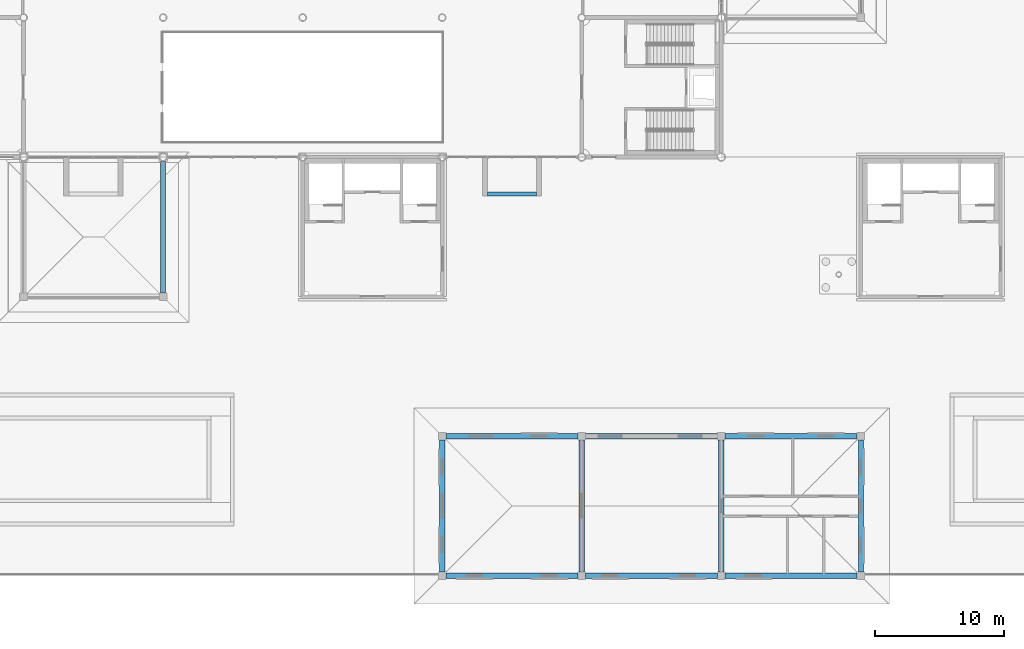
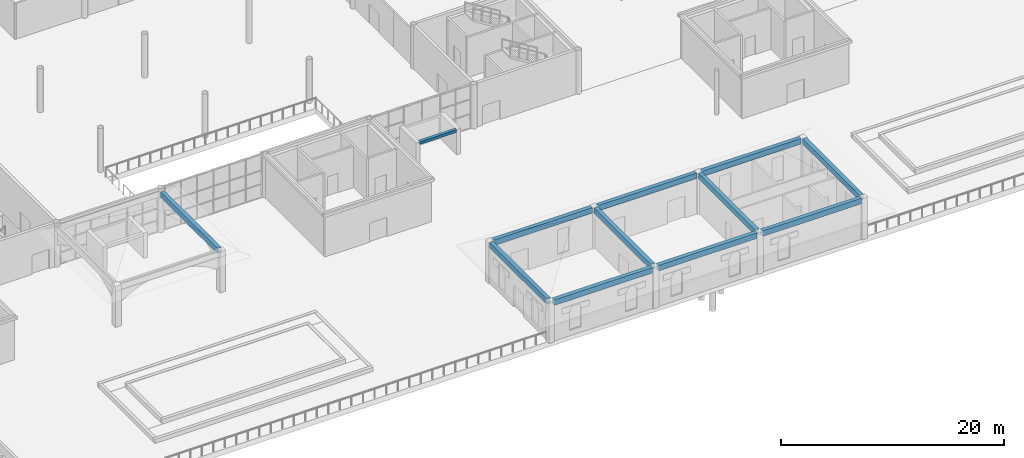
# One storey, part 19 of 91: 12 beams.
"""IFC4 building model written with IfcOpenShell, lengths in metres."""

import ifcopenshell
import ifcopenshell.guid

model = None  # the IFC model being written
_history = None  # IfcOwnerHistory: only IFC2X3 demands one
_inside = {}  # id of a spatial element -> (the spatial element, [elements in it])
_under = {}  # id of a project, library or spatial element -> (it, [spatial elements below it])
_declared = {}  # id of a project -> (the project, [libraries it declares])
_typed = {}  # id of a type object -> (the type object, [elements of that type])
_made_of = {}  # id of a material, layer set ... -> (it, [elements and type objects made of it])


def new_model(schema):
    """Start an empty IFC model of exactly this schema.

    Asked for "IFC4X3", IfcOpenShell would pick the latest addendum, in which some entities
    have other attributes; the version numbers below select the first issue.
    IFC2X3 requires an IfcOwnerHistory on every rooted entity: one is made here for all.
    """
    global model, _history
    if schema == "IFC4X3":
        model = ifcopenshell.file(schema_version=(4, 3, 0, 0))
    else:
        model = ifcopenshell.file(schema=schema)
    _inside.clear()
    _under.clear()
    _declared.clear()
    _typed.clear()
    _made_of.clear()
    _history = None
    if model.schema == "IFC2X3":
        org = make("IfcOrganization", Name="unknown")
        user = make(
            "IfcPersonAndOrganization",
            ThePerson=make("IfcPerson", FamilyName="unknown"),
            TheOrganization=org,
        )
        app = make(
            "IfcApplication",
            ApplicationDeveloper=org,
            Version="unknown",
            ApplicationFullName="unknown",
            ApplicationIdentifier="unknown",
        )
        _history = make(
            "IfcOwnerHistory",
            OwningUser=user,
            OwningApplication=app,
            ChangeAction="ADDED",
            CreationDate=0,
        )
    return model


def make(cls, **values):
    """One entity of the class cls with the attributes given. An attribute that is None is left unset."""
    return model.create_entity(
        cls, **{name: value for name, value in values.items() if value is not None}
    )


def rooted(cls, **values):
    """An entity with a GlobalId (a new one), such as an element, a storey or a relation."""
    return make(cls, GlobalId=ifcopenshell.guid.new(), OwnerHistory=_history, **values)


def si_unit(unit_type, name, prefix=None):
    """IfcSIUnit, for example si_unit("LENGTHUNIT", "METRE", prefix="MILLI")."""
    return make("IfcSIUnit", UnitType=unit_type, Prefix=prefix, Name=name)


def assignment(units):
    """IfcUnitAssignment: the units of a project."""
    return None if units is None else make("IfcUnitAssignment", Units=units)


def point(xyz):
    """IfcCartesianPoint."""
    return None if xyz is None else make("IfcCartesianPoint", Coordinates=xyz)


def direction(xyz):
    """IfcDirection."""
    return None if xyz is None else make("IfcDirection", DirectionRatios=xyz)


def frame(location, z_axis=None, x_axis=None):
    """IfcAxis2Placement3D, a coordinate frame: its origin and axes. An axis left out is left unset."""
    return make(
        "IfcAxis2Placement3D",
        Location=point(location),
        Axis=direction(z_axis),
        RefDirection=direction(x_axis),
    )


def frame_2d(location, x_axis=None):
    """IfcAxis2Placement2D, a coordinate frame in the plane: its origin and x axis."""
    return make(
        "IfcAxis2Placement2D", Location=point(location), RefDirection=direction(x_axis)
    )


def origin():
    """The frame at (0, 0, 0) with its axes left unset."""
    return frame((0.0, 0.0, 0.0))


def origin_2d():
    """The frame at (0, 0) in the plane with its x axis left unset."""
    return frame_2d((0.0, 0.0))


def place(relative_to, where):
    """IfcLocalPlacement: puts the frame where relative to a parent placement (None: the world)."""
    return make(
        "IfcLocalPlacement", PlacementRelTo=relative_to, RelativePlacement=where
    )


def context(
    kind, dimensions, precision=None, world=None, true_north=None, identifier=None
):
    """IfcGeometricRepresentationContext, for example the 3D "Model" context."""
    return make(
        "IfcGeometricRepresentationContext",
        ContextIdentifier=identifier,
        ContextType=kind,
        CoordinateSpaceDimension=dimensions,
        Precision=precision,
        WorldCoordinateSystem=world,
        TrueNorth=true_north,
    )


def subcontext(parent, identifier, kind, view, scale=None):
    """IfcGeometricRepresentationSubContext, for example "Body" below "Model"."""
    return make(
        "IfcGeometricRepresentationSubContext",
        ContextIdentifier=identifier,
        ContextType=kind,
        ParentContext=parent,
        TargetScale=scale,
        TargetView=view,
    )


def project(units=None, contexts=None):
    """IfcProject with its units and contexts."""
    return rooted(
        "IfcProject",
        Name="project",
        RepresentationContexts=contexts,
        UnitsInContext=assignment(units),
    )


def spatial(cls, under=None, at=None, **own):
    """A site, building, storey or space (cls), placed at a placement, below another one or the project."""
    s = rooted(cls, ObjectPlacement=at, **own)
    if under is not None:
        _under.setdefault(under.id(), (under, []))[1].append(s)
    return s


def profile(cls, at=None, kind="AREA", **sizes):
    """A parametric profile (cls). Its sizes go by their IFC names, for example OverallWidth=200.0."""
    return make(cls, ProfileType=kind, Position=at, **sizes)


def rectangle(**sizes):
    """IfcRectangleProfileDef."""
    return profile("IfcRectangleProfileDef", **sizes)


def extrude(swept, where, along, depth):
    """IfcExtrudedAreaSolid: the profile swept, set in the frame where, extruded along a direction by depth."""
    return make(
        "IfcExtrudedAreaSolid",
        SweptArea=swept,
        Position=where,
        ExtrudedDirection=direction(along),
        Depth=depth,
    )


def shape(context_of_items, identifier, shape_type, items):
    """IfcShapeRepresentation: the items that make up one representation, for example the "Body"."""
    return make(
        "IfcShapeRepresentation",
        ContextOfItems=context_of_items,
        RepresentationIdentifier=identifier,
        RepresentationType=shape_type,
        Items=items,
    )


def material(Name=None, Category=None):
    """IfcMaterial."""
    return make("IfcMaterial", Name=Name, Category=Category)


def material_profile(
    of_material, cross_section, Name=None, Category=None, Priority=None
):
    """IfcMaterialProfile: a cross section and its material."""
    return make(
        "IfcMaterialProfile",
        Name=Name,
        Material=of_material,
        Profile=cross_section,
        Priority=Priority,
        Category=Category,
    )


def profile_set(profiles, Name=None, composite=None):
    """IfcMaterialProfileSet."""
    return make(
        "IfcMaterialProfileSet",
        Name=Name,
        MaterialProfiles=profiles,
        CompositeProfile=composite,
    )


def made_of(thing, what):
    """Note that an element or type object is made of a material, layer set ...; save() writes the relation."""
    if what is not None:
        _made_of.setdefault(what.id(), (what, []))[1].append(thing)
    return thing


def type_object(cls, material=None, **own):
    """A type object (cls), such as IfcWallType, which elements share."""
    return made_of(rooted(cls, **own), material)


def element(
    cls,
    number,
    at=None,
    inside=None,
    cuts=None,
    type_object=None,
    material=None,
    context=None,
    identifier="Body",
    shape_type=None,
    held_by="IfcProductDefinitionShape",
    body=None,
    shapes=None,
    **own,
):
    """One element of the class cls, such as IfcWall. Its Tag is "e" and its number.

    at: its placement. inside: the storey or other place that contains it. cuts: it is an
    opening in that element (IfcRelVoidsElement). A single representation is given by context,
    identifier, shape_type and body (its items); several are given by shapes. held_by: the class
    of the entity that holds the representations. save() writes the other relations.
    """
    e = rooted(cls, Tag="e%d" % number, ObjectPlacement=at, **own)
    if body is not None:
        shapes = [shape(context, identifier, shape_type, body)]
    if shapes is not None:
        e.Representation = make(held_by, Representations=shapes)
    if inside is not None:
        _inside.setdefault(inside.id(), (inside, []))[1].append(e)
    if cuts is not None:
        rooted(
            "IfcRelVoidsElement", RelatingBuildingElement=cuts, RelatedOpeningElement=e
        )
    if type_object is not None:
        _typed.setdefault(type_object.id(), (type_object, []))[1].append(e)
    return made_of(e, material)


def aggregate(whole, parts):
    """IfcRelAggregates: a whole, such as a stair, and the parts it consists of."""
    return rooted("IfcRelAggregates", RelatingObject=whole, RelatedObjects=parts)


def save(model, path):
    """Write the relations noted so far, then the file.

    IfcRelAggregates (storeys below a building ...), IfcRelContainedInSpatialStructure (elements
    in a storey), IfcRelDefinesByType, IfcRelAssociatesMaterial and IfcRelDeclares: one each for
    every whole, place, type object, material and project.
    """
    for whole, parts in _under.values():
        aggregate(whole, parts)
    for where, things in _inside.values():
        rooted(
            "IfcRelContainedInSpatialStructure",
            RelatedElements=things,
            RelatingStructure=where,
        )
    for kind, things in _typed.values():
        rooted("IfcRelDefinesByType", RelatedObjects=things, RelatingType=kind)
    for what, things in _made_of.values():
        rooted("IfcRelAssociatesMaterial", RelatedObjects=things, RelatingMaterial=what)
    for by, libraries in _declared.values():
        rooted("IfcRelDeclares", RelatingContext=by, RelatedDefinitions=libraries)
    model.write(path)


model = new_model("IFC4")

# Units and contexts
model_context = context("Model", 3, precision=1e-05, world=origin(), true_north=direction((0.0, 1.0)))
body_context = subcontext(model_context, "Body", "Model", "MODEL_VIEW")
ifc_project = project(units=[si_unit("LENGTHUNIT", "METRE"), si_unit("AREAUNIT", "SQUARE_METRE"), si_unit("VOLUMEUNIT", "CUBIC_METRE"), si_unit("PLANEANGLEUNIT", "RADIAN"), si_unit("MASSUNIT", "GRAM", prefix="KILO")], contexts=[model_context])

# Site, building, storey
site_placement = place(None, origin())
site = spatial("IfcSite", under=ifc_project, at=site_placement, CompositionType="ELEMENT")
building_placement = place(site_placement, origin())
building = spatial("IfcBuilding", under=site, at=building_placement, Name="Magnolia Steps Interchange", CompositionType="ELEMENT")
storey_placement = place(building_placement, origin())
storey = spatial("IfcBuildingStorey", under=building, at=storey_placement, Name="L00", CompositionType="ELEMENT", Elevation=0.0)

# Beams
ifc_material_1 = material(Name="Concrete C40", Category="concrete")
ifc_material_profile_1 = material_profile(ifc_material_1, rectangle(XDim=0.300048828125, YDim=0.300048828125, at=origin_2d()), Name="RC300x300")
ifc_profile_set_1 = profile_set([ifc_material_profile_1], Name="Concrete C40")
beam_type_1 = type_object("IfcBeamType", Name="Canopy edge beam 300x300", PredefinedType="BEAM", material=ifc_profile_set_1)
beam_1_placement = place(storey_placement, frame((99.89990234375, 39.550048828125, 2.60009765625), z_axis=(1.0, 0.0, 0.0), x_axis=(0.0, 1.0, 0.0)))
element("IfcBeam", 1, at=beam_1_placement, inside=storey, type_object=beam_type_1, Name="Entrance canopy edge beam 5", PredefinedType="BEAM", context=body_context, shape_type="SweptSolid", body=[
    extrude(rectangle(XDim=0.300048828125, YDim=0.300048828125, at=origin_2d()), origin(), (0.0, 0.0, 1.0), 3.800048828125),
])
ifc_material_2 = material(Name="Concrete C40", Category="concrete")
ifc_material_profile_2 = material_profile(ifc_material_2, rectangle(XDim=0.39990234375, YDim=0.60009765625, at=origin_2d()), Name="RC400x600")
ifc_profile_set_2 = profile_set([ifc_material_profile_2], Name="Concrete C40")
beam_type_2 = type_object("IfcBeamType", Name="RC beam 400x600", PredefinedType="BEAM", material=ifc_profile_set_2)
beam_2_placement = place(storey_placement, frame((74.800048828125, 31.89990234375, 4.199951171875), z_axis=(0.0, 1.0, 0.0), x_axis=(-1.0, 0.0, 0.0)))
element("IfcBeam", 2, at=beam_2_placement, inside=storey, type_object=beam_type_2, Name="Portico eave beam S2", PredefinedType="BEAM", context=body_context, shape_type="SweptSolid", body=[
    extrude(rectangle(XDim=0.39990234375, YDim=0.60009765625, at=origin_2d()), origin(), (0.0, 0.0, 1.0), 10.195068359375),
])
for number, where, z_axis, x_axis, name in (
    (3, (96.699951171875, 10.0, 4.199951171875), (1.0, 0.0, 0.0), (0.0, 1.0, 0.0), "Pavilion eave beam S1"),
    (4, (107.5, 10.0, 4.199951171875), (1.0, 0.0, 0.0), (0.0, 1.0, 0.0), "Pavilion eave beam S2"),
    (5, (118.300048828125, 10.0, 4.199951171875), (1.0, 0.0, 0.0), (0.0, 1.0, 0.0), "Pavilion eave beam S3"),
    (6, (96.699951171875, 20.800048828125, 4.199951171875), (1.0, 0.0, 0.0), (0.0, 1.0, 0.0), "Pavilion eave beam N1"),
    (7, (107.5, 20.800048828125, 4.199951171875), (1.0, 0.0, 0.0), (0.0, 1.0, 0.0), "Pavilion eave beam N2"),
    (8, (118.300048828125, 20.800048828125, 4.199951171875), (1.0, 0.0, 0.0), (0.0, 1.0, 0.0), "Pavilion eave beam N3"),
    (9, (96.39990234375, 10.300048828125, 4.199951171875), (0.0, 1.0, 0.0), (-1.0, 0.0, 0.0), "Pavilion eave beam W"),
    (10, (128.800048828125, 10.300048828125, 4.199951171875), (0.0, 1.0, 0.0), (-1.0, 0.0, 0.0), "Pavilion eave beam E"),
    (11, (107.199951171875, 10.300048828125, 4.199951171875), (0.0, 1.0, 0.0), (-1.0, 0.0, 0.0), "Pavilion tie beam 1"),
    (12, (118.0, 10.300048828125, 4.199951171875), (0.0, 1.0, 0.0), (-1.0, 0.0, 0.0), "Pavilion tie beam 2"),
):
    element("IfcBeam", number, at=place(storey_placement, frame(where, z_axis=z_axis, x_axis=x_axis)), inside=storey, type_object=beam_type_2, Name=name, PredefinedType="BEAM", context=body_context, shape_type="SweptSolid", body=[
        extrude(rectangle(XDim=0.39990234375, YDim=0.60009765625, at=origin_2d()), origin(), (0.0, 0.0, 1.0), 10.199951171875),
    ])

save(model, "model.ifc")
